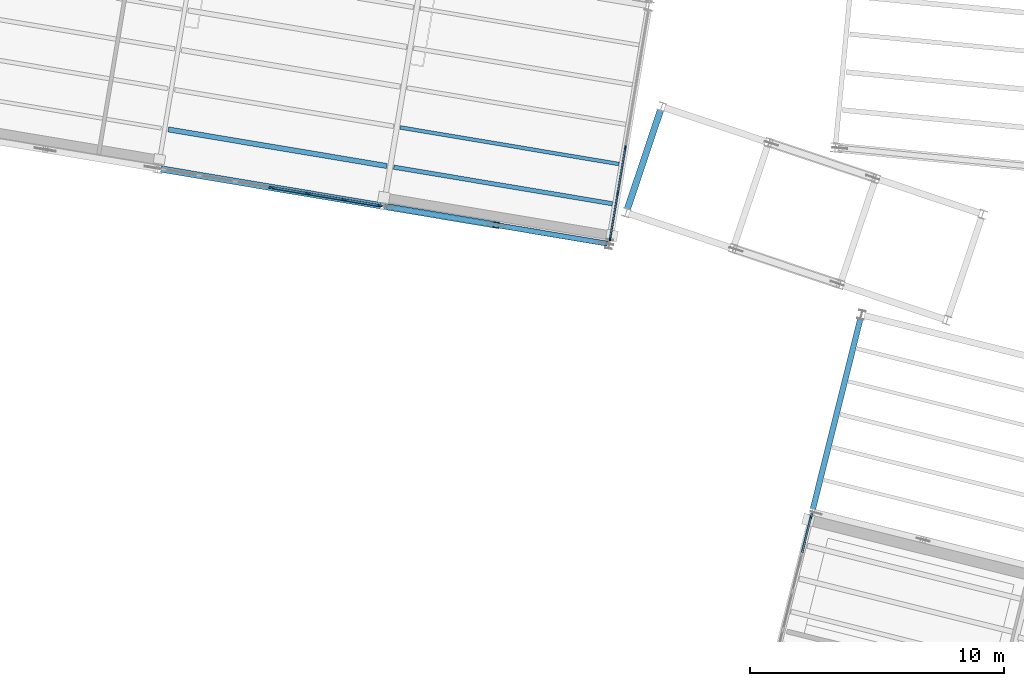
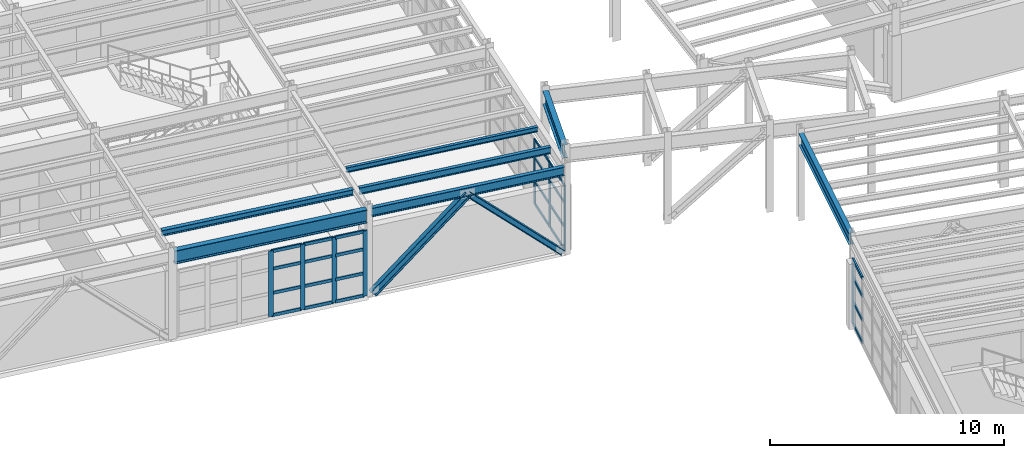
# One storey, part 30 of 109: 34 members, 7 beams, 3 elements without a shape of their own.
"""IFC4 building model written with IfcOpenShell, lengths in metres."""

import ifcopenshell
import ifcopenshell.guid

model = None  # the IFC model being written
_history = None  # IfcOwnerHistory: only IFC2X3 demands one
_inside = {}  # id of a spatial element -> (the spatial element, [elements in it])
_under = {}  # id of a project, library or spatial element -> (it, [spatial elements below it])
_declared = {}  # id of a project -> (the project, [libraries it declares])
_typed = {}  # id of a type object -> (the type object, [elements of that type])
_made_of = {}  # id of a material, layer set ... -> (it, [elements and type objects made of it])


def new_model(schema):
    """Start an empty IFC model of exactly this schema.

    Asked for "IFC4X3", IfcOpenShell would pick the latest addendum, in which some entities
    have other attributes; the version numbers below select the first issue.
    IFC2X3 requires an IfcOwnerHistory on every rooted entity: one is made here for all.
    """
    global model, _history
    if schema == "IFC4X3":
        model = ifcopenshell.file(schema_version=(4, 3, 0, 0))
    else:
        model = ifcopenshell.file(schema=schema)
    _inside.clear()
    _under.clear()
    _declared.clear()
    _typed.clear()
    _made_of.clear()
    _history = None
    if model.schema == "IFC2X3":
        org = make("IfcOrganization", Name="unknown")
        user = make(
            "IfcPersonAndOrganization",
            ThePerson=make("IfcPerson", FamilyName="unknown"),
            TheOrganization=org,
        )
        app = make(
            "IfcApplication",
            ApplicationDeveloper=org,
            Version="unknown",
            ApplicationFullName="unknown",
            ApplicationIdentifier="unknown",
        )
        _history = make(
            "IfcOwnerHistory",
            OwningUser=user,
            OwningApplication=app,
            ChangeAction="ADDED",
            CreationDate=0,
        )
    return model


def make(cls, **values):
    """One entity of the class cls with the attributes given. An attribute that is None is left unset."""
    return model.create_entity(
        cls, **{name: value for name, value in values.items() if value is not None}
    )


def rooted(cls, **values):
    """An entity with a GlobalId (a new one), such as an element, a storey or a relation."""
    return make(cls, GlobalId=ifcopenshell.guid.new(), OwnerHistory=_history, **values)


def si_unit(unit_type, name, prefix=None):
    """IfcSIUnit, for example si_unit("LENGTHUNIT", "METRE", prefix="MILLI")."""
    return make("IfcSIUnit", UnitType=unit_type, Prefix=prefix, Name=name)


def assignment(units):
    """IfcUnitAssignment: the units of a project."""
    return None if units is None else make("IfcUnitAssignment", Units=units)


def point(xyz):
    """IfcCartesianPoint."""
    return None if xyz is None else make("IfcCartesianPoint", Coordinates=xyz)


def direction(xyz):
    """IfcDirection."""
    return None if xyz is None else make("IfcDirection", DirectionRatios=xyz)


def frame(location, z_axis=None, x_axis=None):
    """IfcAxis2Placement3D, a coordinate frame: its origin and axes. An axis left out is left unset."""
    return make(
        "IfcAxis2Placement3D",
        Location=point(location),
        Axis=direction(z_axis),
        RefDirection=direction(x_axis),
    )


def frame_2d(location, x_axis=None):
    """IfcAxis2Placement2D, a coordinate frame in the plane: its origin and x axis."""
    return make(
        "IfcAxis2Placement2D", Location=point(location), RefDirection=direction(x_axis)
    )


def origin():
    """The frame at (0, 0, 0) with its axes left unset."""
    return frame((0.0, 0.0, 0.0))


def origin_2d():
    """The frame at (0, 0) in the plane with its x axis left unset."""
    return frame_2d((0.0, 0.0))


def place(relative_to, where):
    """IfcLocalPlacement: puts the frame where relative to a parent placement (None: the world)."""
    return make(
        "IfcLocalPlacement", PlacementRelTo=relative_to, RelativePlacement=where
    )


def context(
    kind, dimensions, precision=None, world=None, true_north=None, identifier=None
):
    """IfcGeometricRepresentationContext, for example the 3D "Model" context."""
    return make(
        "IfcGeometricRepresentationContext",
        ContextIdentifier=identifier,
        ContextType=kind,
        CoordinateSpaceDimension=dimensions,
        Precision=precision,
        WorldCoordinateSystem=world,
        TrueNorth=true_north,
    )


def subcontext(parent, identifier, kind, view, scale=None):
    """IfcGeometricRepresentationSubContext, for example "Body" below "Model"."""
    return make(
        "IfcGeometricRepresentationSubContext",
        ContextIdentifier=identifier,
        ContextType=kind,
        ParentContext=parent,
        TargetScale=scale,
        TargetView=view,
    )


def project(units=None, contexts=None):
    """IfcProject with its units and contexts."""
    return rooted(
        "IfcProject",
        Name="project",
        RepresentationContexts=contexts,
        UnitsInContext=assignment(units),
    )


def spatial(cls, under=None, at=None, **own):
    """A site, building, storey or space (cls), placed at a placement, below another one or the project."""
    s = rooted(cls, ObjectPlacement=at, **own)
    if under is not None:
        _under.setdefault(under.id(), (under, []))[1].append(s)
    return s


def profile(cls, at=None, kind="AREA", **sizes):
    """A parametric profile (cls). Its sizes go by their IFC names, for example OverallWidth=200.0."""
    return make(cls, ProfileType=kind, Position=at, **sizes)


def rectangle(**sizes):
    """IfcRectangleProfileDef."""
    return profile("IfcRectangleProfileDef", **sizes)


def i_section(**sizes):
    """IfcIShapeProfileDef."""
    return profile("IfcIShapeProfileDef", **sizes)


def extrude(swept, where, along, depth):
    """IfcExtrudedAreaSolid: the profile swept, set in the frame where, extruded along a direction by depth."""
    return make(
        "IfcExtrudedAreaSolid",
        SweptArea=swept,
        Position=where,
        ExtrudedDirection=direction(along),
        Depth=depth,
    )


def shape(context_of_items, identifier, shape_type, items):
    """IfcShapeRepresentation: the items that make up one representation, for example the "Body"."""
    return make(
        "IfcShapeRepresentation",
        ContextOfItems=context_of_items,
        RepresentationIdentifier=identifier,
        RepresentationType=shape_type,
        Items=items,
    )


def material(Name=None, Category=None):
    """IfcMaterial."""
    return make("IfcMaterial", Name=Name, Category=Category)


def layer(
    of_material, thickness, ventilated=None, Name=None, Category=None, Priority=None
):
    """IfcMaterialLayer: one layer of a wall or slab, of a material (None: an air gap)."""
    return make(
        "IfcMaterialLayer",
        Material=of_material,
        LayerThickness=thickness,
        IsVentilated=ventilated,
        Name=Name,
        Category=Category,
        Priority=Priority,
    )


def layer_set(layers, Name=None):
    """IfcMaterialLayerSet."""
    return make("IfcMaterialLayerSet", MaterialLayers=layers, LayerSetName=Name)


def material_profile(
    of_material, cross_section, Name=None, Category=None, Priority=None
):
    """IfcMaterialProfile: a cross section and its material."""
    return make(
        "IfcMaterialProfile",
        Name=Name,
        Material=of_material,
        Profile=cross_section,
        Priority=Priority,
        Category=Category,
    )


def profile_set(profiles, Name=None, composite=None):
    """IfcMaterialProfileSet."""
    return make(
        "IfcMaterialProfileSet",
        Name=Name,
        MaterialProfiles=profiles,
        CompositeProfile=composite,
    )


def made_of(thing, what):
    """Note that an element or type object is made of a material, layer set ...; save() writes the relation."""
    if what is not None:
        _made_of.setdefault(what.id(), (what, []))[1].append(thing)
    return thing


def type_object(cls, material=None, **own):
    """A type object (cls), such as IfcWallType, which elements share."""
    return made_of(rooted(cls, **own), material)


def element(
    cls,
    number,
    at=None,
    inside=None,
    cuts=None,
    type_object=None,
    material=None,
    context=None,
    identifier="Body",
    shape_type=None,
    held_by="IfcProductDefinitionShape",
    body=None,
    shapes=None,
    **own,
):
    """One element of the class cls, such as IfcWall. Its Tag is "e" and its number.

    at: its placement. inside: the storey or other place that contains it. cuts: it is an
    opening in that element (IfcRelVoidsElement). A single representation is given by context,
    identifier, shape_type and body (its items); several are given by shapes. held_by: the class
    of the entity that holds the representations. save() writes the other relations.
    """
    e = rooted(cls, Tag="e%d" % number, ObjectPlacement=at, **own)
    if body is not None:
        shapes = [shape(context, identifier, shape_type, body)]
    if shapes is not None:
        e.Representation = make(held_by, Representations=shapes)
    if inside is not None:
        _inside.setdefault(inside.id(), (inside, []))[1].append(e)
    if cuts is not None:
        rooted(
            "IfcRelVoidsElement", RelatingBuildingElement=cuts, RelatedOpeningElement=e
        )
    if type_object is not None:
        _typed.setdefault(type_object.id(), (type_object, []))[1].append(e)
    return made_of(e, material)


def aggregate(whole, parts):
    """IfcRelAggregates: a whole, such as a stair, and the parts it consists of."""
    return rooted("IfcRelAggregates", RelatingObject=whole, RelatedObjects=parts)


def save(model, path):
    """Write the relations noted so far, then the file.

    IfcRelAggregates (storeys below a building ...), IfcRelContainedInSpatialStructure (elements
    in a storey), IfcRelDefinesByType, IfcRelAssociatesMaterial and IfcRelDeclares: one each for
    every whole, place, type object, material and project.
    """
    for whole, parts in _under.values():
        aggregate(whole, parts)
    for where, things in _inside.values():
        rooted(
            "IfcRelContainedInSpatialStructure",
            RelatedElements=things,
            RelatingStructure=where,
        )
    for kind, things in _typed.values():
        rooted("IfcRelDefinesByType", RelatedObjects=things, RelatingType=kind)
    for what, things in _made_of.values():
        rooted("IfcRelAssociatesMaterial", RelatedObjects=things, RelatingMaterial=what)
    for by, libraries in _declared.values():
        rooted("IfcRelDeclares", RelatingContext=by, RelatedDefinitions=libraries)
    model.write(path)


model = new_model("IFC4")

# Units and contexts
model_context = context("Model", 3, precision=1e-05, world=origin(), true_north=direction((0.0, 1.0)))
body_context = subcontext(model_context, "Body", "Model", "MODEL_VIEW")
ifc_project = project(units=[si_unit("LENGTHUNIT", "METRE"), si_unit("AREAUNIT", "SQUARE_METRE"), si_unit("VOLUMEUNIT", "CUBIC_METRE"), si_unit("PLANEANGLEUNIT", "RADIAN"), si_unit("MASSUNIT", "GRAM", prefix="KILO")], contexts=[model_context])

# Site, building, storey
site_placement = place(None, origin())
site = spatial("IfcSite", under=ifc_project, at=site_placement, CompositionType="ELEMENT")
building_placement = place(site_placement, origin())
building = spatial("IfcBuilding", under=site, at=building_placement, Name="Vireo Bluff Cable Station", CompositionType="ELEMENT")
storey_placement = place(building_placement, frame((0.0, 0.0, 4.800048828125)))
storey = spatial("IfcBuildingStorey", under=building, at=storey_placement, Name="L01", CompositionType="ELEMENT", Elevation=4.800048828125)

# Members
ifc_material_1 = material(Name="Steel ASTM A992 Gr. 50", Category="steel")
ifc_material_profile_1 = material_profile(ifc_material_1, i_section(OverallWidth=0.2041015625, OverallDepth=0.257080078125, WebThickness=0.0087890625, FlangeThickness=0.015625, FilletRadius=0.009033203125, at=origin_2d()), Name="W10X45")
ifc_profile_set_1 = profile_set([ifc_material_profile_1], Name="Steel ASTM A992 Gr. 50")
member_type_1 = type_object("IfcMemberType", Name="BRC-01", PredefinedType="BRACE", material=ifc_profile_set_1)
member_1_placement = place(storey_placement, frame((49.72509765625, 64.099365234375, 0.0400390625), z_axis=(-0.713671018406, 0.11942683899, 0.690225258605), x_axis=(-0.165046622801, -0.986285766044, 0.0)))
element("IfcMember", 1, at=member_1_placement, inside=storey, type_object=member_type_1, Name="V4 L01 concentric brace 72R", PredefinedType="BRACE", context=body_context, shape_type="SweptSolid", body=[
    extrude(i_section(OverallWidth=0.2041015625, OverallDepth=0.257080078125, WebThickness=0.0087890625, FlangeThickness=0.015625, FilletRadius=0.009033203125, at=origin_2d()), origin(), (0.0, 0.0, 1.0), 5.997802734375),
])
ifc_material_profile_2 = material_profile(ifc_material_1, i_section(OverallWidth=0.25390625, OverallDepth=0.35302734375, WebThickness=0.009521484375, FlangeThickness=0.016357421875, FilletRadius=0.011962890625, at=origin_2d()), Name="W14X61")
ifc_profile_set_2 = profile_set([ifc_material_profile_2], Name="Steel ASTM A992 Gr. 50")
member_type_2 = type_object("IfcMemberType", Name="BRC-06", PredefinedType="BRACE", material=ifc_profile_set_2)
member_2_placement = place(storey_placement, frame((41.1640625, 65.531982421875, 0.0400390625), z_axis=(0.713671018406, -0.11942683899, 0.690225258605), x_axis=(0.165046622801, 0.986285766044, 0.0)))
element("IfcMember", 2, at=member_2_placement, inside=storey, type_object=member_type_2, Name="V4 L01 concentric brace 71L", PredefinedType="BRACE", context=body_context, shape_type="SweptSolid", body=[
    extrude(i_section(OverallWidth=0.25390625, OverallDepth=0.35302734375, WebThickness=0.009521484375, FlangeThickness=0.016357421875, FilletRadius=0.011962890625, at=origin_2d()), origin(), (0.0, 0.0, 1.0), 5.997802734375),
])

# Curtain wall, member
ifc_material_2 = material(Name="Anodized Aluminium 6063-T6", Category="aluminium")
ifc_layer_1 = layer(ifc_material_2, 0.179931640625, Name="Anodized Aluminium 6063-T6")
ifc_layer_set_1 = layer_set([ifc_layer_1], Name="Anodized Aluminium 6063-T6")
curtain_wall_type_1 = type_object("IfcCurtainWallType", Name="CW-UNIT-1650", PredefinedType="USERDEFINED", material=ifc_layer_set_1)
curtain_wall_1_placement = place(storey_placement, origin())
curtain_wall_1 = element("IfcCurtainWall", 3, at=curtain_wall_1_placement, inside=storey, type_object=curtain_wall_type_1, Name="V1 L01 west curtain wall CW-005", ObjectType="UNITISED CURTAIN WALL", PredefinedType="USERDEFINED")
ifc_material_profile_3 = material_profile(ifc_material_2, rectangle(XDim=0.074951171875, YDim=0.2099609375, at=origin_2d()), Name="ALU-M-75X210")
ifc_profile_set_3 = profile_set([ifc_material_profile_3], Name="Anodized Aluminium 6063-T6")
member_type_3 = type_object("IfcMemberType", Name="CWM-02", PredefinedType="MULLION", material=ifc_profile_set_3)
member_3_placement = place(storey_placement, frame((57.830078125, 53.36181640625, 0.0), z_axis=(0.0, 0.0, 1.0), x_axis=(-0.970295713157, 0.241921948216, 0.0)))
member_3 = element("IfcMember", 4, at=member_3_placement, type_object=member_type_3, Name="CW-005 mullion 6", PredefinedType="MULLION", context=body_context, shape_type="SweptSolid", body=[
    extrude(rectangle(XDim=0.074951171875, YDim=0.2099609375, at=origin_2d()), origin(), (0.0, 0.0, 1.0), 3.39990234375),
])

# Curtain wall, members
ifc_layer_2 = layer(ifc_material_2, 0.179931640625, Name="Anodized Aluminium 6063-T6")
ifc_layer_set_2 = layer_set([ifc_layer_2], Name="Anodized Aluminium 6063-T6")
curtain_wall_type_2 = type_object("IfcCurtainWallType", Name="CW-UNIT-1500", PredefinedType="USERDEFINED", material=ifc_layer_set_2)
curtain_wall_2_placement = place(storey_placement, origin())
curtain_wall_2 = element("IfcCurtainWall", 5, at=curtain_wall_2_placement, inside=storey, type_object=curtain_wall_type_2, Name="V4 L01 south curtain wall CW-085", ObjectType="UNITISED CURTAIN WALL", PredefinedType="USERDEFINED")
member_4_placement = place(storey_placement, frame((40.841552734375, 65.5859375, 0.0), z_axis=(0.0, 0.0, 1.0), x_axis=(-0.165047619081, -0.986285599325, 0.0)))
member_4 = element("IfcMember", 6, at=member_4_placement, type_object=member_type_3, Name="CW-085 mullion 1", PredefinedType="MULLION", context=body_context, shape_type="SweptSolid", body=[
    extrude(rectangle(XDim=0.074951171875, YDim=0.2099609375, at=origin_2d()), origin(), (0.0, 0.0, 1.0), 3.39990234375),
])
member_5_placement = place(storey_placement, frame((39.451171875, 65.818603515625, 0.0), z_axis=(0.0, 0.0, 1.0), x_axis=(-0.165047619081, -0.986285599325, 0.0)))
member_5 = element("IfcMember", 7, at=member_5_placement, type_object=member_type_3, Name="CW-085 mullion 2", PredefinedType="MULLION", context=body_context, shape_type="SweptSolid", body=[
    extrude(rectangle(XDim=0.074951171875, YDim=0.2099609375, at=origin_2d()), origin(), (0.0, 0.0, 1.0), 3.39990234375),
])
member_6_placement = place(storey_placement, frame((38.023681640625, 66.057373046875, 0.0), z_axis=(0.0, 0.0, 1.0), x_axis=(-0.165047619081, -0.986285599325, 0.0)))
member_6 = element("IfcMember", 8, at=member_6_placement, type_object=member_type_3, Name="CW-085 mullion 3", PredefinedType="MULLION", context=body_context, shape_type="SweptSolid", body=[
    extrude(rectangle(XDim=0.074951171875, YDim=0.2099609375, at=origin_2d()), origin(), (0.0, 0.0, 1.0), 3.39990234375),
])
member_7_placement = place(storey_placement, frame((36.596435546875, 66.296142578125, 0.0), z_axis=(0.0, 0.0, 1.0), x_axis=(-0.165047619081, -0.986285599325, 0.0)))
member_7 = element("IfcMember", 9, at=member_7_placement, type_object=member_type_3, Name="CW-085 mullion 4", PredefinedType="MULLION", context=body_context, shape_type="SweptSolid", body=[
    extrude(rectangle(XDim=0.074951171875, YDim=0.2099609375, at=origin_2d()), origin(), (0.0, 0.0, 1.0), 3.39990234375),
])

ifc_layer_3 = layer(ifc_material_2, 0.159912109375, Name="Anodized Aluminium 6063-T6")
ifc_layer_set_3 = layer_set([ifc_layer_3], Name="Anodized Aluminium 6063-T6")
curtain_wall_type_3 = type_object("IfcCurtainWallType", Name="CW-STICK-1750", PredefinedType="USERDEFINED", material=ifc_layer_set_3)
curtain_wall_3_placement = place(storey_placement, origin())
curtain_wall_3 = element("IfcCurtainWall", 10, at=curtain_wall_3_placement, inside=storey, type_object=curtain_wall_type_3, Name="V4 L01 east curtain wall CW-094", ObjectType="STICK CURTAIN WALL", PredefinedType="USERDEFINED")
ifc_material_profile_4 = material_profile(ifc_material_2, rectangle(XDim=0.06005859375, YDim=0.159912109375, at=origin_2d()), Name="ALU-M-60X160")
ifc_profile_set_4 = profile_set([ifc_material_profile_4], Name="Anodized Aluminium 6063-T6")
member_type_4 = type_object("IfcMemberType", Name="CWM-03", PredefinedType="MULLION", material=ifc_profile_set_4)
member_8_placement = place(storey_placement, frame((50.51611328125, 67.857421875, 0.0), z_axis=(0.0, 0.0, 1.0), x_axis=(0.986285590571, -0.165047671394, 0.0)))
member_8 = element("IfcMember", 11, at=member_8_placement, type_object=member_type_4, Name="CW-094 mullion 4", PredefinedType="MULLION", context=body_context, shape_type="SweptSolid", body=[
    extrude(rectangle(XDim=0.06005859375, YDim=0.159912109375, at=origin_2d()), origin(), (0.0, 0.0, 1.0), 3.39990234375),
])
member_9_placement = place(storey_placement, frame((50.214599609375, 66.0556640625, 0.0), z_axis=(0.0, 0.0, 1.0), x_axis=(0.986285590571, -0.165047671394, 0.0)))
member_9 = element("IfcMember", 12, at=member_9_placement, type_object=member_type_4, Name="CW-094 mullion 5", PredefinedType="MULLION", context=body_context, shape_type="SweptSolid", body=[
    extrude(rectangle(XDim=0.06005859375, YDim=0.159912109375, at=origin_2d()), origin(), (0.0, 0.0, 1.0), 3.39990234375),
])
member_10_placement = place(storey_placement, frame((49.91796875, 64.283447265625, 0.0), z_axis=(0.0, 0.0, 1.0), x_axis=(0.986285590571, -0.165047671394, 0.0)))
member_10 = element("IfcMember", 13, at=member_10_placement, type_object=member_type_4, Name="CW-094 mullion 6", PredefinedType="MULLION", context=body_context, shape_type="SweptSolid", body=[
    extrude(rectangle(XDim=0.06005859375, YDim=0.159912109375, at=origin_2d()), origin(), (0.0, 0.0, 1.0), 3.39990234375),
])

# Member
ifc_material_profile_5 = material_profile(ifc_material_2, rectangle(XDim=0.074951171875, YDim=0.159912109375, at=origin_2d()), Name="ALU-T-75X160")
ifc_profile_set_5 = profile_set([ifc_material_profile_5], Name="Anodized Aluminium 6063-T6")
member_type_5 = type_object("IfcMemberType", Name="CWT-02", PredefinedType="USERDEFINED", material=ifc_profile_set_5)
member_11_placement = place(storey_placement, frame((57.473876953125, 51.9326171875, 0.037353515625), z_axis=(0.241855241234, 0.970312342644, 0.0), x_axis=(-0.970312342644, 0.241855241234, 0.0)))
member_11 = element("IfcMember", 14, at=member_11_placement, type_object=member_type_5, Name="CW-005 transom 5.1", ObjectType="TRANSOM", PredefinedType="USERDEFINED", context=body_context, shape_type="SweptSolid", body=[
    extrude(rectangle(XDim=0.074951171875, YDim=0.159912109375, at=origin_2d()), origin(), (0.0, 0.0, 1.0), 1.435546875),
])

member_12_placement = place(storey_placement, frame((57.473876953125, 51.9326171875, 1.18994140625), z_axis=(0.241855241234, 0.970312342644, 0.0), x_axis=(-0.970312342644, 0.241855241234, 0.0)))
member_12 = element("IfcMember", 15, at=member_12_placement, type_object=member_type_5, Name="CW-005 transom 5.2", ObjectType="TRANSOM", PredefinedType="USERDEFINED", context=body_context, shape_type="SweptSolid", body=[
    extrude(rectangle(XDim=0.074951171875, YDim=0.159912109375, at=origin_2d()), origin(), (0.0, 0.0, 1.0), 1.435546875),
])

member_13_placement = place(storey_placement, frame((57.473876953125, 51.9326171875, 2.447998046875), z_axis=(0.241855241234, 0.970312342644, 0.0), x_axis=(-0.970312342644, 0.241855241234, 0.0)))
member_13 = element("IfcMember", 16, at=member_13_placement, type_object=member_type_5, Name="CW-005 transom 5.3", ObjectType="TRANSOM", PredefinedType="USERDEFINED", context=body_context, shape_type="SweptSolid", body=[
    extrude(rectangle(XDim=0.074951171875, YDim=0.159912109375, at=origin_2d()), origin(), (0.0, 0.0, 1.0), 1.435546875),
])

member_14_placement = place(storey_placement, frame((57.473876953125, 51.9326171875, 3.362548828125), z_axis=(0.241855241234, 0.970312342644, 0.0), x_axis=(-0.970312342644, 0.241855241234, 0.0)))
member_14 = element("IfcMember", 17, at=member_14_placement, type_object=member_type_5, Name="CW-005 transom 5.4", ObjectType="TRANSOM", PredefinedType="USERDEFINED", context=body_context, shape_type="SweptSolid", body=[
    extrude(rectangle(XDim=0.074951171875, YDim=0.159912109375, at=origin_2d()), origin(), (0.0, 0.0, 1.0), 1.435546875),
])

aggregate(curtain_wall_1, [member_3, member_11, member_12, member_13, member_14])

member_15_placement = place(storey_placement, frame((40.8046875, 65.592041015625, 0.037353515625), z_axis=(-0.986299848867, 0.164962444591, 0.0), x_axis=(-0.164962444591, -0.986299848867, 0.0)))
member_15 = element("IfcMember", 18, at=member_15_placement, type_object=member_type_5, Name="CW-085 transom 1.1", ObjectType="TRANSOM", PredefinedType="USERDEFINED", context=body_context, shape_type="SweptSolid", body=[
    extrude(rectangle(XDim=0.074951171875, YDim=0.159912109375, at=origin_2d()), origin(), (0.0, 0.0, 1.0), 1.3349609375),
])

member_16_placement = place(storey_placement, frame((40.8046875, 65.592041015625, 1.18994140625), z_axis=(-0.986299848867, 0.164962444591, 0.0), x_axis=(-0.164962444591, -0.986299848867, 0.0)))
member_16 = element("IfcMember", 19, at=member_16_placement, type_object=member_type_5, Name="CW-085 transom 1.2", ObjectType="TRANSOM", PredefinedType="USERDEFINED", context=body_context, shape_type="SweptSolid", body=[
    extrude(rectangle(XDim=0.074951171875, YDim=0.159912109375, at=origin_2d()), origin(), (0.0, 0.0, 1.0), 1.3349609375),
])

member_17_placement = place(storey_placement, frame((40.8046875, 65.592041015625, 2.447998046875), z_axis=(-0.986299848867, 0.164962444591, 0.0), x_axis=(-0.164962444591, -0.986299848867, 0.0)))
member_17 = element("IfcMember", 20, at=member_17_placement, type_object=member_type_5, Name="CW-085 transom 1.3", ObjectType="TRANSOM", PredefinedType="USERDEFINED", context=body_context, shape_type="SweptSolid", body=[
    extrude(rectangle(XDim=0.074951171875, YDim=0.159912109375, at=origin_2d()), origin(), (0.0, 0.0, 1.0), 1.3349609375),
])

member_18_placement = place(storey_placement, frame((40.8046875, 65.592041015625, 3.362548828125), z_axis=(-0.986299848867, 0.164962444591, 0.0), x_axis=(-0.164962444591, -0.986299848867, 0.0)))
member_18 = element("IfcMember", 21, at=member_18_placement, type_object=member_type_5, Name="CW-085 transom 1.4", ObjectType="TRANSOM", PredefinedType="USERDEFINED", context=body_context, shape_type="SweptSolid", body=[
    extrude(rectangle(XDim=0.074951171875, YDim=0.159912109375, at=origin_2d()), origin(), (0.0, 0.0, 1.0), 1.3349609375),
])

member_19_placement = place(storey_placement, frame((39.4140625, 65.82470703125, 0.037353515625), z_axis=(-0.986273436195, 0.16512028663, 0.0), x_axis=(-0.16512028663, -0.986273436195, 0.0)))
member_19 = element("IfcMember", 22, at=member_19_placement, type_object=member_type_5, Name="CW-085 transom 2.1", ObjectType="TRANSOM", PredefinedType="USERDEFINED", context=body_context, shape_type="SweptSolid", body=[
    extrude(rectangle(XDim=0.074951171875, YDim=0.159912109375, at=origin_2d()), origin(), (0.0, 0.0, 1.0), 1.3720703125),
])

member_20_placement = place(storey_placement, frame((39.4140625, 65.82470703125, 1.18994140625), z_axis=(-0.986273436195, 0.16512028663, 0.0), x_axis=(-0.16512028663, -0.986273436195, 0.0)))
member_20 = element("IfcMember", 23, at=member_20_placement, type_object=member_type_5, Name="CW-085 transom 2.2", ObjectType="TRANSOM", PredefinedType="USERDEFINED", context=body_context, shape_type="SweptSolid", body=[
    extrude(rectangle(XDim=0.074951171875, YDim=0.159912109375, at=origin_2d()), origin(), (0.0, 0.0, 1.0), 1.3720703125),
])

member_21_placement = place(storey_placement, frame((39.4140625, 65.82470703125, 2.447998046875), z_axis=(-0.986273436195, 0.16512028663, 0.0), x_axis=(-0.16512028663, -0.986273436195, 0.0)))
member_21 = element("IfcMember", 24, at=member_21_placement, type_object=member_type_5, Name="CW-085 transom 2.3", ObjectType="TRANSOM", PredefinedType="USERDEFINED", context=body_context, shape_type="SweptSolid", body=[
    extrude(rectangle(XDim=0.074951171875, YDim=0.159912109375, at=origin_2d()), origin(), (0.0, 0.0, 1.0), 1.3720703125),
])

member_22_placement = place(storey_placement, frame((39.4140625, 65.82470703125, 3.362548828125), z_axis=(-0.986273436195, 0.16512028663, 0.0), x_axis=(-0.16512028663, -0.986273436195, 0.0)))
member_22 = element("IfcMember", 25, at=member_22_placement, type_object=member_type_5, Name="CW-085 transom 2.4", ObjectType="TRANSOM", PredefinedType="USERDEFINED", context=body_context, shape_type="SweptSolid", body=[
    extrude(rectangle(XDim=0.074951171875, YDim=0.159912109375, at=origin_2d()), origin(), (0.0, 0.0, 1.0), 1.3720703125),
])

member_23_placement = place(storey_placement, frame((37.98681640625, 66.0634765625, 0.037353515625), z_axis=(-0.986278286164, 0.165091314856, 0.0), x_axis=(-0.165091314856, -0.986278286164, 0.0)))
member_23 = element("IfcMember", 26, at=member_23_placement, type_object=member_type_5, Name="CW-085 transom 3.1", ObjectType="TRANSOM", PredefinedType="USERDEFINED", context=body_context, shape_type="SweptSolid", body=[
    extrude(rectangle(XDim=0.074951171875, YDim=0.159912109375, at=origin_2d()), origin(), (0.0, 0.0, 1.0), 1.372314453125),
])

member_24_placement = place(storey_placement, frame((37.98681640625, 66.0634765625, 1.18994140625), z_axis=(-0.986278286164, 0.165091314856, 0.0), x_axis=(-0.165091314856, -0.986278286164, 0.0)))
member_24 = element("IfcMember", 27, at=member_24_placement, type_object=member_type_5, Name="CW-085 transom 3.2", ObjectType="TRANSOM", PredefinedType="USERDEFINED", context=body_context, shape_type="SweptSolid", body=[
    extrude(rectangle(XDim=0.074951171875, YDim=0.159912109375, at=origin_2d()), origin(), (0.0, 0.0, 1.0), 1.372314453125),
])

member_25_placement = place(storey_placement, frame((37.98681640625, 66.0634765625, 2.447998046875), z_axis=(-0.986278286164, 0.165091314856, 0.0), x_axis=(-0.165091314856, -0.986278286164, 0.0)))
member_25 = element("IfcMember", 28, at=member_25_placement, type_object=member_type_5, Name="CW-085 transom 3.3", ObjectType="TRANSOM", PredefinedType="USERDEFINED", context=body_context, shape_type="SweptSolid", body=[
    extrude(rectangle(XDim=0.074951171875, YDim=0.159912109375, at=origin_2d()), origin(), (0.0, 0.0, 1.0), 1.372314453125),
])

member_26_placement = place(storey_placement, frame((37.98681640625, 66.0634765625, 3.362548828125), z_axis=(-0.986278286164, 0.165091314856, 0.0), x_axis=(-0.165091314856, -0.986278286164, 0.0)))
member_26 = element("IfcMember", 29, at=member_26_placement, type_object=member_type_5, Name="CW-085 transom 3.4", ObjectType="TRANSOM", PredefinedType="USERDEFINED", context=body_context, shape_type="SweptSolid", body=[
    extrude(rectangle(XDim=0.074951171875, YDim=0.159912109375, at=origin_2d()), origin(), (0.0, 0.0, 1.0), 1.372314453125),
])

aggregate(curtain_wall_2, [member_4, member_5, member_6, member_7, member_15, member_16, member_17, member_18, member_19, member_20, member_21, member_22, member_23, member_24, member_25, member_26])

ifc_material_profile_6 = material_profile(ifc_material_2, rectangle(XDim=0.06005859375, YDim=0.1201171875, at=origin_2d()), Name="ALU-T-60X120")
ifc_profile_set_6 = profile_set([ifc_material_profile_6], Name="Anodized Aluminium 6063-T6")
member_type_6 = type_object("IfcMemberType", Name="CWT-03", PredefinedType="USERDEFINED", material=ifc_profile_set_6)
member_27_placement = place(storey_placement, frame((50.51123046875, 67.827880859375, 0.030029296875), z_axis=(-0.164981536378, -0.986296655502, 0.0), x_axis=(0.986296655502, -0.164981536378, 0.0)))
member_27 = element("IfcMember", 30, at=member_27_placement, type_object=member_type_6, Name="CW-094 transom 4.1", ObjectType="TRANSOM", PredefinedType="USERDEFINED", context=body_context, shape_type="SweptSolid", body=[
    extrude(rectangle(XDim=0.06005859375, YDim=0.1201171875, at=origin_2d()), origin(), (0.0, 0.0, 1.0), 1.766845703125),
])

member_28_placement = place(storey_placement, frame((50.51123046875, 67.827880859375, 1.18994140625), z_axis=(-0.164981536378, -0.986296655502, 0.0), x_axis=(0.986296655502, -0.164981536378, 0.0)))
member_28 = element("IfcMember", 31, at=member_28_placement, type_object=member_type_6, Name="CW-094 transom 4.2", ObjectType="TRANSOM", PredefinedType="USERDEFINED", context=body_context, shape_type="SweptSolid", body=[
    extrude(rectangle(XDim=0.06005859375, YDim=0.1201171875, at=origin_2d()), origin(), (0.0, 0.0, 1.0), 1.766845703125),
])

member_29_placement = place(storey_placement, frame((50.51123046875, 67.827880859375, 2.447998046875), z_axis=(-0.164981536378, -0.986296655502, 0.0), x_axis=(0.986296655502, -0.164981536378, 0.0)))
member_29 = element("IfcMember", 32, at=member_29_placement, type_object=member_type_6, Name="CW-094 transom 4.3", ObjectType="TRANSOM", PredefinedType="USERDEFINED", context=body_context, shape_type="SweptSolid", body=[
    extrude(rectangle(XDim=0.06005859375, YDim=0.1201171875, at=origin_2d()), origin(), (0.0, 0.0, 1.0), 1.766845703125),
])

member_30_placement = place(storey_placement, frame((50.51123046875, 67.827880859375, 3.369873046875), z_axis=(-0.164981536378, -0.986296655502, 0.0), x_axis=(0.986296655502, -0.164981536378, 0.0)))
member_30 = element("IfcMember", 33, at=member_30_placement, type_object=member_type_6, Name="CW-094 transom 4.4", ObjectType="TRANSOM", PredefinedType="USERDEFINED", context=body_context, shape_type="SweptSolid", body=[
    extrude(rectangle(XDim=0.06005859375, YDim=0.1201171875, at=origin_2d()), origin(), (0.0, 0.0, 1.0), 1.766845703125),
])

member_31_placement = place(storey_placement, frame((50.209716796875, 66.026123046875, 0.030029296875), z_axis=(-0.16501436872, -0.986291162951, 0.0), x_axis=(0.986291162951, -0.16501436872, 0.0)))
member_31 = element("IfcMember", 34, at=member_31_placement, type_object=member_type_6, Name="CW-094 transom 5.1", ObjectType="TRANSOM", PredefinedType="USERDEFINED", context=body_context, shape_type="SweptSolid", body=[
    extrude(rectangle(XDim=0.06005859375, YDim=0.1201171875, at=origin_2d()), origin(), (0.0, 0.0, 1.0), 1.737060546875),
])

member_32_placement = place(storey_placement, frame((50.209716796875, 66.026123046875, 1.18994140625), z_axis=(-0.16501436872, -0.986291162951, 0.0), x_axis=(0.986291162951, -0.16501436872, 0.0)))
member_32 = element("IfcMember", 35, at=member_32_placement, type_object=member_type_6, Name="CW-094 transom 5.2", ObjectType="TRANSOM", PredefinedType="USERDEFINED", context=body_context, shape_type="SweptSolid", body=[
    extrude(rectangle(XDim=0.06005859375, YDim=0.1201171875, at=origin_2d()), origin(), (0.0, 0.0, 1.0), 1.737060546875),
])

member_33_placement = place(storey_placement, frame((50.209716796875, 66.026123046875, 2.447998046875), z_axis=(-0.16501436872, -0.986291162951, 0.0), x_axis=(0.986291162951, -0.16501436872, 0.0)))
member_33 = element("IfcMember", 36, at=member_33_placement, type_object=member_type_6, Name="CW-094 transom 5.3", ObjectType="TRANSOM", PredefinedType="USERDEFINED", context=body_context, shape_type="SweptSolid", body=[
    extrude(rectangle(XDim=0.06005859375, YDim=0.1201171875, at=origin_2d()), origin(), (0.0, 0.0, 1.0), 1.737060546875),
])

member_34_placement = place(storey_placement, frame((50.209716796875, 66.026123046875, 3.369873046875), z_axis=(-0.16501436872, -0.986291162951, 0.0), x_axis=(0.986291162951, -0.16501436872, 0.0)))
member_34 = element("IfcMember", 37, at=member_34_placement, type_object=member_type_6, Name="CW-094 transom 5.4", ObjectType="TRANSOM", PredefinedType="USERDEFINED", context=body_context, shape_type="SweptSolid", body=[
    extrude(rectangle(XDim=0.06005859375, YDim=0.1201171875, at=origin_2d()), origin(), (0.0, 0.0, 1.0), 1.737060546875),
])

aggregate(curtain_wall_3, [member_8, member_9, member_10, member_27, member_28, member_29, member_30, member_31, member_32, member_33, member_34])

# Beams
ifc_material_profile_7 = material_profile(ifc_material_1, i_section(OverallWidth=0.257080078125, OverallDepth=0.693115234375, WebThickness=0.014404296875, FlangeThickness=0.023681640625, FilletRadius=0.014892578125, at=origin_2d()), Name="W27X114")
ifc_profile_set_7 = profile_set([ifc_material_profile_7], Name="Steel ASTM A992 Gr. 50")
beam_type_1 = type_object("IfcBeamType", Name="EXTGIR-W27X114", PredefinedType="USERDEFINED", material=ifc_profile_set_7)
beam_1_placement = place(storey_placement, frame((50.592041015625, 65.43212890625, 4.195068359375), z_axis=(0.31792727789, 0.948115101648, 0.0), x_axis=(-0.948115101648, 0.31792727789, 0.0)))
element("IfcBeam", 38, at=beam_1_placement, inside=storey, type_object=beam_type_1, Name="CABIN-TRANSFER skybridge bent cap 1 L01", ObjectType="GIRDER", PredefinedType="USERDEFINED", context=body_context, shape_type="SweptSolid", body=[
    extrude(i_section(OverallWidth=0.257080078125, OverallDepth=0.693115234375, WebThickness=0.014404296875, FlangeThickness=0.023681640625, FilletRadius=0.014892578125, at=origin_2d()), origin(), (0.0, 0.0, 1.0), 4.135986328125),
])
ifc_material_profile_8 = material_profile(ifc_material_1, i_section(OverallWidth=0.14599609375, OverallDepth=0.259033203125, WebThickness=0.006103515625, FlangeThickness=0.009033203125, FilletRadius=0.009033203125, at=origin_2d()), Name="W10X22")
ifc_profile_set_8 = profile_set([ifc_material_profile_8], Name="Steel ASTM A992 Gr. 50")
beam_type_2 = type_object("IfcBeamType", Name="JST-W10X22", PredefinedType="JOIST", material=ifc_profile_set_8)
beam_2_placement = place(storey_placement, frame((41.6669921875, 68.658447265625, 4.410400390625), z_axis=(0.98628550168, -0.165048202583, 0.0), x_axis=(0.165048202583, 0.98628550168, 0.0)))
element("IfcBeam", 39, at=beam_2_placement, inside=storey, type_object=beam_type_2, Name="V4 L01 composite joist 964", PredefinedType="JOIST", context=body_context, shape_type="SweptSolid", body=[
    extrude(i_section(OverallWidth=0.14599609375, OverallDepth=0.259033203125, WebThickness=0.006103515625, FlangeThickness=0.009033203125, FilletRadius=0.009033203125, at=origin_2d()), origin(), (0.0, 0.0, 1.0), 8.719970703125),
])
ifc_material_profile_9 = material_profile(ifc_material_1, i_section(OverallWidth=0.202880859375, OverallDepth=0.302978515625, WebThickness=0.007568359375, FlangeThickness=0.01318359375, FilletRadius=0.010009765625, at=origin_2d()), Name="W12X40")
ifc_profile_set_9 = profile_set([ifc_material_profile_9], Name="Steel ASTM A992 Gr. 50")
beam_type_3 = type_object("IfcBeamType", Name="JST-W12X40", PredefinedType="JOIST", material=ifc_profile_set_9)
beam_3_placement = place(storey_placement, frame((32.529052734375, 68.582275390625, 4.388427734375), z_axis=(0.986286264339, -0.165043645063, 0.0), x_axis=(0.165043645063, 0.986286264339, 0.0)))
element("IfcBeam", 40, at=beam_3_placement, inside=storey, type_object=beam_type_3, Name="V4 L01 composite joist 950", PredefinedType="JOIST", context=body_context, shape_type="SweptSolid", body=[
    extrude(i_section(OverallWidth=0.202880859375, OverallDepth=0.302978515625, WebThickness=0.007568359375, FlangeThickness=0.01318359375, FilletRadius=0.010009765625, at=origin_2d()), origin(), (0.0, 0.0, 1.0), 8.72021484375),
])
ifc_material_profile_10 = material_profile(ifc_material_1, i_section(OverallWidth=0.1708984375, OverallDepth=0.35107421875, WebThickness=0.0068359375, FlangeThickness=0.009765625, FilletRadius=0.010009765625, at=origin_2d()), Name="W14X30")
ifc_profile_set_10 = profile_set([ifc_material_profile_10], Name="Steel ASTM A992 Gr. 50")
beam_type_4 = type_object("IfcBeamType", Name="JST-W14X30", PredefinedType="JOIST", material=ifc_profile_set_10)
beam_4_placement = place(storey_placement, frame((41.40576171875, 67.0966796875, 4.364501953125), z_axis=(0.98628550168, -0.165048202583, 0.0), x_axis=(0.165048202583, 0.98628550168, 0.0)))
element("IfcBeam", 41, at=beam_4_placement, inside=storey, type_object=beam_type_4, Name="V4 L01 composite joist 963", PredefinedType="JOIST", context=body_context, shape_type="SweptSolid", body=[
    extrude(i_section(OverallWidth=0.1708984375, OverallDepth=0.35107421875, WebThickness=0.0068359375, FlangeThickness=0.009765625, FilletRadius=0.010009765625, at=origin_2d()), origin(), (0.0, 0.0, 1.0), 8.719970703125),
])
ifc_material_profile_11 = material_profile(ifc_material_1, i_section(OverallWidth=0.19091796875, OverallDepth=0.45703125, WebThickness=0.009033203125, FlangeThickness=0.014404296875, FilletRadius=0.011962890625, at=origin_2d()), Name="W18X50")
ifc_profile_set_11 = profile_set([ifc_material_profile_11], Name="Steel ASTM A992 Gr. 50")
beam_type_5 = type_object("IfcBeamType", Name="SPN-W18X50", PredefinedType="SPANDREL", material=ifc_profile_set_11)
beam_5_placement = place(storey_placement, frame((41.124755859375, 65.53857421875, 4.3115234375), z_axis=(0.986285239719, -0.16504976799, 0.0), x_axis=(0.16504976799, 0.986285239719, 0.0)))
element("IfcBeam", 42, at=beam_5_placement, inside=storey, type_object=beam_type_5, Name="V4 L01 spandrel 876", PredefinedType="SPANDREL", context=body_context, shape_type="SweptSolid", body=[
    extrude(i_section(OverallWidth=0.19091796875, OverallDepth=0.45703125, WebThickness=0.009033203125, FlangeThickness=0.014404296875, FilletRadius=0.011962890625, at=origin_2d()), origin(), (0.0, 0.0, 1.0), 8.759765625),
])
ifc_material_profile_12 = material_profile(ifc_material_1, i_section(OverallWidth=0.22802734375, OverallDepth=0.60693359375, WebThickness=0.01123046875, FlangeThickness=0.017333984375, FilletRadius=0.012939453125, at=origin_2d()), Name="W24X76")
ifc_profile_set_12 = profile_set([ifc_material_profile_12], Name="Steel ASTM A992 Gr. 50")
beam_type_6 = type_object("IfcBeamType", Name="SPN-W24X76", PredefinedType="SPANDREL", material=ifc_profile_set_12)
beam_6_placement = place(storey_placement, frame((57.89990234375, 53.64111328125, 4.236572265625), z_axis=(0.241906346953, 0.970299602857, 0.0), x_axis=(-0.970299602857, 0.241906346953, 0.0)))
element("IfcBeam", 43, at=beam_6_placement, inside=storey, type_object=beam_type_6, Name="V1 L01 spandrel 62", PredefinedType="SPANDREL", context=body_context, shape_type="SweptSolid", body=[
    extrude(i_section(OverallWidth=0.22802734375, OverallDepth=0.60693359375, WebThickness=0.01123046875, FlangeThickness=0.017333984375, FilletRadius=0.012939453125, at=origin_2d()), origin(), (0.0, 0.0, 1.0), 7.760009765625),
])
ifc_material_profile_13 = material_profile(ifc_material_1, i_section(OverallWidth=0.257080078125, OverallDepth=0.693115234375, WebThickness=0.014404296875, FlangeThickness=0.023681640625, FilletRadius=0.014892578125, at=origin_2d()), Name="W27X114")
ifc_profile_set_13 = profile_set([ifc_material_profile_13], Name="Steel ASTM A992 Gr. 50")
beam_type_7 = type_object("IfcBeamType", Name="SPN-W27X114", PredefinedType="SPANDREL", material=ifc_profile_set_13)
beam_7_placement = place(storey_placement, frame((32.248046875, 67.02392578125, 4.193359375), z_axis=(0.986285998922, -0.165045231163, 0.0), x_axis=(0.165045231163, 0.986285998922, 0.0)))
element("IfcBeam", 44, at=beam_7_placement, inside=storey, type_object=beam_type_7, Name="V4 L01 spandrel 875", PredefinedType="SPANDREL", context=body_context, shape_type="SweptSolid", body=[
    extrude(i_section(OverallWidth=0.257080078125, OverallDepth=0.693115234375, WebThickness=0.014404296875, FlangeThickness=0.023681640625, FilletRadius=0.014892578125, at=origin_2d()), origin(), (0.0, 0.0, 1.0), 8.760009765625),
])

save(model, "model.ifc")
